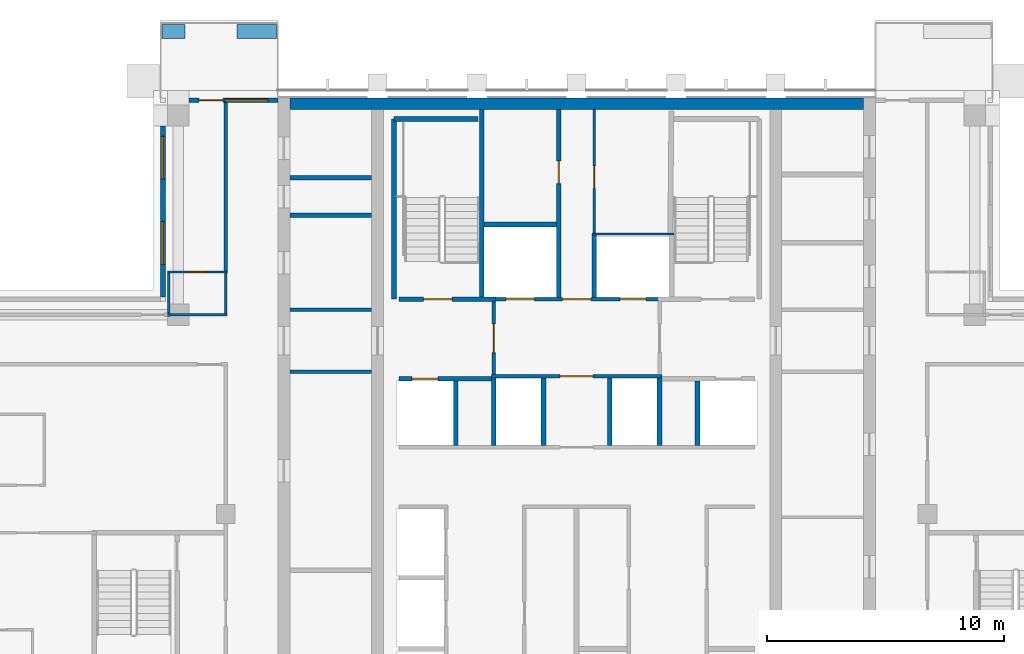
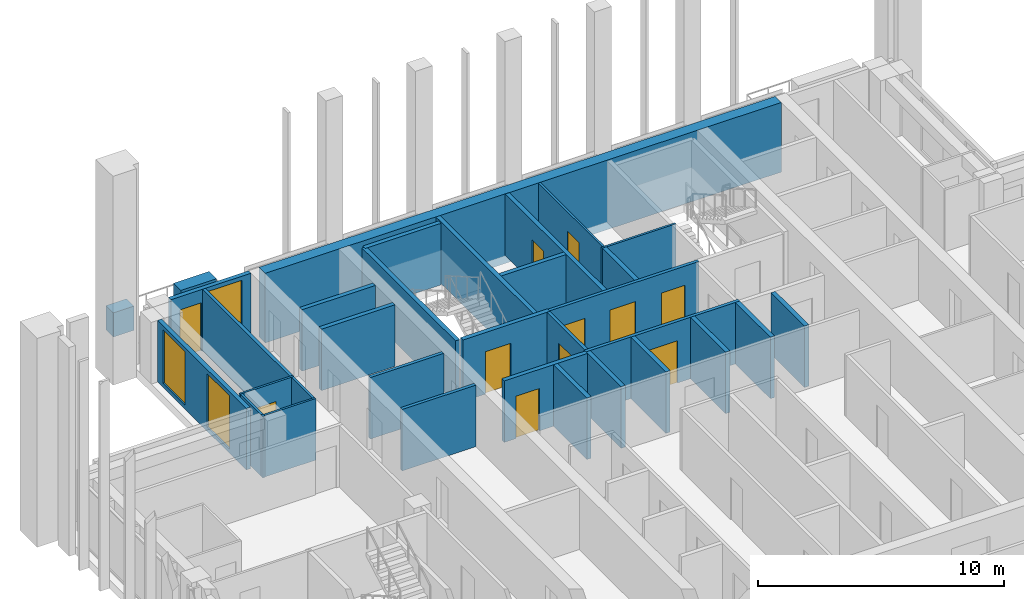
# One storey, part 14 of 20: 34 walls, 11 doors, 3 windows, 14 openings.
"""IFC4 building model written with IfcOpenShell, lengths in metres."""

from ifc_helpers import new_model, si_unit, direction, frame, frame_2d, origin, place, context, subcontext, project, spatial, rectangle, extrude, material, layer, layer_set, type_object, element, fill, save


model = new_model("IFC4")

# Units and contexts
model_context = context("Model", 3, precision=1e-05, world=origin(), true_north=direction((0.0, 1.0)))
body_context = subcontext(model_context, "Body", "Model", "MODEL_VIEW")
ifc_project = project(units=[si_unit("LENGTHUNIT", "METRE"), si_unit("AREAUNIT", "SQUARE_METRE"), si_unit("VOLUMEUNIT", "CUBIC_METRE"), si_unit("PLANEANGLEUNIT", "RADIAN"), si_unit("MASSUNIT", "GRAM", prefix="KILO")], contexts=[model_context])

# Site, building, storey
site_placement = place(None, origin())
site = spatial("IfcSite", under=ifc_project, at=site_placement, CompositionType="ELEMENT")
building_placement = place(site_placement, origin())
building = spatial("IfcBuilding", under=site, at=building_placement, Name="Vermilion Ogive Tower", CompositionType="ELEMENT")
storey_placement = place(building_placement, frame((0.0, 0.0, 223.449951171875)))
storey = spatial("IfcBuildingStorey", under=building, at=storey_placement, Name="L58", CompositionType="ELEMENT", Elevation=223.449951171875)

# Walls
ifc_material_1 = material(Name="Concrete B60", Category="concrete")
ifc_layer_1 = layer(ifc_material_1, 0.5)
ifc_layer_set_1 = layer_set([ifc_layer_1], Name="Core wall 500 B60")
wall_type_1 = type_object("IfcWallType", Name="Core wall 500 B60", PredefinedType="SHEAR", material=ifc_layer_set_1)
wall_1_placement = place(storey_placement, frame((-12.10009765625, 21.5, -0.39990234375), z_axis=(0.0, 0.0, 1.0), x_axis=(1.0, 0.0, 0.0)))
element("IfcWall", 1, at=wall_1_placement, inside=storey, type_object=wall_type_1, Name="L58-CORE-N", PredefinedType="SHEAR", context=body_context, shape_type="SweptSolid", body=[
    extrude(rectangle(XDim=24.2001953125, YDim=0.5, at=frame_2d((12.10009765625, 0.0))), origin(), (0.0, 0.0, 1.0), 3.449951171875),
])
ifc_material_2 = material(Name="Gypsum board partition on steel studs", Category="steel")
ifc_layer_2 = layer(ifc_material_2, 0.10009765625)
ifc_layer_set_2 = layer_set([ifc_layer_2], Name="Partition 100 bath")
wall_type_2 = type_object("IfcWallType", Name="Partition 100 bath", PredefinedType="PARTITIONING", material=ifc_layer_set_2)
wall_2_placement = place(storey_placement, frame((-17.25, 12.60009765625, 0.0), z_axis=(0.0, 0.0, 1.0), x_axis=(1.0, 0.0, 0.0)))
element("IfcWall", 2, at=wall_2_placement, inside=storey, type_object=wall_type_2, Name="L58-W-W034", PredefinedType="PARTITIONING", context=body_context, shape_type="SweptSolid", body=[
    extrude(rectangle(XDim=2.5, YDim=0.10009765625, at=frame_2d((1.25, 0.0))), origin(), (0.0, 0.0, 1.0), 3.050048828125),
])

# Wall, opening, door
wall_3_placement = place(storey_placement, frame((-17.25, 14.39990234375, 0.0), z_axis=(0.0, 0.0, 1.0), x_axis=(1.0, 0.0, 0.0)))
wall_3 = element("IfcWall", 3, at=wall_3_placement, inside=storey, type_object=wall_type_2, Name="L58-W-W037", PredefinedType="PARTITIONING", context=body_context, shape_type="SweptSolid", body=[
    extrude(rectangle(XDim=2.52490234375, YDim=0.10009765625, at=frame_2d((1.262451171875, 0.0))), origin(), (0.0, 0.0, 1.0), 3.050048828125),
])
opening_1_placement = place(wall_3_placement, frame((0.824951171875, 0.0, 0.0)))
opening_1 = element("IfcOpeningElement", 4, at=opening_1_placement, cuts=wall_3, Name="Opening D5G1008", PredefinedType="OPENING", context=body_context, shape_type="SweptSolid", body=[
    extrude(rectangle(XDim=0.85009765625, YDim=2.10009765625, at=frame_2d((0.425048828125, 1.050048828125))), frame((0.0, 0.06005859375, 0.0), z_axis=(0.0, -1.0, 0.0), x_axis=(1.0, 0.0, 0.0)), (0.0, 0.0, 1.0), 0.1201171875),
])
ifc_material_3 = material(Name="Timber door leaf", Category="wood")
door_type_1 = type_object("IfcDoorType", Name="Bath door 850 x 2100 FD30", OperationType="SINGLE_SWING_LEFT", PredefinedType="DOOR", material=ifc_material_3)
door_1_placement = place(opening_1_placement, origin())
door_1 = element("IfcDoor", 5, at=door_1_placement, inside=storey, type_object=door_type_1, Name="L58-D-D008", OperationType="SINGLE_SWING_RIGHT", OverallHeight=2.10009765625, OverallWidth=0.85009765625, PredefinedType="DOOR", context=body_context, shape_type="SweptSolid", body=[
    extrude(rectangle(XDim=0.85009765625, YDim=2.10009765625, at=frame_2d((0.425048828125, 1.050048828125))), frame((0.0, 0.02490234375, 0.0), z_axis=(0.0, -1.0, 0.0), x_axis=(1.0, 0.0, 0.0)), (0.0, 0.0, 1.0), 0.050048828125),
])
fill(opening_1, door_1)

# Walls
wall_4_placement = place(storey_placement, frame((-17.199951171875, 12.675048828125, 0.0), z_axis=(0.0, 0.0, 1.0), x_axis=(0.0, 1.0, 0.0)))
element("IfcWall", 6, at=wall_4_placement, inside=storey, type_object=wall_type_2, Name="L58-W-W043", PredefinedType="PARTITIONING", context=body_context, shape_type="SweptSolid", body=[
    extrude(rectangle(XDim=1.675048828125, YDim=0.10009765625, at=frame_2d((0.83740234375, 0.0))), origin(), (0.0, 0.0, 1.0), 3.050048828125),
])
wall_5_placement = place(storey_placement, frame((-14.800048828125, 12.64990234375, 0.0), z_axis=(0.0, 0.0, 1.0), x_axis=(0.0, 1.0, 0.0)))
element("IfcWall", 7, at=wall_5_placement, inside=storey, type_object=wall_type_2, Name="L58-W-W046", PredefinedType="PARTITIONING", context=body_context, shape_type="SweptSolid", body=[
    extrude(rectangle(XDim=1.7001953125, YDim=0.10009765625, at=frame_2d((0.85009765625, 0.0))), origin(), (0.0, 0.0, 1.0), 3.050048828125),
])
wall_6_placement = place(storey_placement, frame((0.64990234375, 16.0, 0.0), z_axis=(0.0, 0.0, 1.0), x_axis=(1.0, 0.0, 0.0)))
element("IfcWall", 8, at=wall_6_placement, inside=storey, type_object=wall_type_2, Name="L58-CK-W-W017", PredefinedType="PARTITIONING", context=body_context, shape_type="SweptSolid", body=[
    extrude(rectangle(XDim=3.4501953125, YDim=0.10009765625, at=frame_2d((1.72509765625, 0.0))), origin(), (0.0, 0.0, 1.0), 3.050048828125),
])

# Wall, opening, door
wall_7_placement = place(storey_placement, frame((0.75, 16.050048828125, 0.0), z_axis=(0.0, 0.0, 1.0), x_axis=(0.0, 1.0, 0.0)))
wall_7 = element("IfcWall", 9, at=wall_7_placement, inside=storey, type_object=wall_type_2, Name="L58-CK-W-W029", PredefinedType="PARTITIONING", context=body_context, shape_type="SweptSolid", body=[
    extrude(rectangle(XDim=5.198974609375, YDim=0.10009765625, at=frame_2d((2.599609375, 0.0))), origin(), (0.0, 0.0, 1.0), 3.050048828125),
])
opening_2_placement = place(wall_7_placement, frame((1.875, 0.0, 0.0)))
opening_2 = element("IfcOpeningElement", 10, at=opening_2_placement, cuts=wall_7, Name="Opening DAA549", PredefinedType="OPENING", context=body_context, shape_type="SweptSolid", body=[
    extrude(rectangle(XDim=0.949951171875, YDim=2.10009765625, at=frame_2d((0.47509765625, 1.050048828125))), frame((0.0, 0.06005859375, 0.0), z_axis=(0.0, -1.0, 0.0), x_axis=(1.0, 0.0, 0.0)), (0.0, 0.0, 1.0), 0.1201171875),
])
ifc_material_4 = material(Name="Timber door leaf", Category="wood")
door_type_2 = type_object("IfcDoorType", Name="Service door 950 x 2100 FD60", OperationType="SINGLE_SWING_LEFT", PredefinedType="DOOR", material=ifc_material_4)
door_2_placement = place(opening_2_placement, origin())
door_2 = element("IfcDoor", 11, at=door_2_placement, inside=storey, type_object=door_type_2, Name="L58-CK-D-D021", OperationType="SINGLE_SWING_LEFT", OverallHeight=2.10009765625, OverallWidth=0.949951171875, PredefinedType="DOOR", context=body_context, shape_type="SweptSolid", body=[
    extrude(rectangle(XDim=0.949951171875, YDim=2.10009765625, at=frame_2d((0.47509765625, 1.050048828125))), frame((0.0, 0.02490234375, 0.0), z_axis=(0.0, -1.0, 0.0), x_axis=(1.0, 0.0, 0.0)), (0.0, 0.0, 1.0), 0.050048828125),
])
fill(opening_2, door_2)

# Wall
ifc_material_5 = material(Name="Gypsum board partition on steel studs", Category="steel")
ifc_layer_3 = layer(ifc_material_5, 0.14990234375)
ifc_layer_set_3 = layer_set([ifc_layer_3], Name="Partition 150 corridor")
wall_type_3 = type_object("IfcWallType", Name="Partition 150 corridor", PredefinedType="PARTITIONING", material=ifc_layer_set_3)
wall_8_placement = place(storey_placement, frame((-14.800048828125, 14.449951171875, 0.0), z_axis=(0.0, 0.0, 1.0), x_axis=(0.0, 1.0, 0.0)))
element("IfcWall", 12, at=wall_8_placement, inside=storey, type_object=wall_type_3, Name="L58-W-W047", PredefinedType="PARTITIONING", context=body_context, shape_type="SweptSolid", body=[
    extrude(rectangle(XDim=7.10009765625, YDim=0.14990234375, at=frame_2d((3.550048828125, 0.0))), origin(), (0.0, 0.0, 1.0), 3.050048828125),
])

# Wall, opening, door
wall_9_placement = place(storey_placement, frame((-3.60009765625, 10.0, 0.0), z_axis=(0.0, 0.0, 1.0), x_axis=(1.0, 0.0, 0.0)))
wall_9 = element("IfcWall", 13, at=wall_9_placement, inside=storey, type_object=wall_type_3, Name="L58-CK-W-W013", PredefinedType="PARTITIONING", context=body_context, shape_type="SweptSolid", body=[
    extrude(rectangle(XDim=7.2001953125, YDim=0.14990234375, at=frame_2d((3.60009765625, 0.0))), origin(), (0.0, 0.0, 1.0), 3.050048828125),
])
opening_3_placement = place(wall_9_placement, frame((2.900146484375, 0.0, 0.0)))
opening_3 = element("IfcOpeningElement", 14, at=opening_3_placement, cuts=wall_9, Name="Opening DAA541", PredefinedType="OPENING", context=body_context, shape_type="SweptSolid", body=[
    extrude(rectangle(XDim=1.39990234375, YDim=2.10009765625, at=frame_2d((0.699951171875, 1.050048828125))), frame((0.0, 0.0849609375, 0.0), z_axis=(0.0, -1.0, 0.0), x_axis=(1.0, 0.0, 0.0)), (0.0, 0.0, 1.0), 0.169921875),
])
ifc_material_6 = material(Name="Timber door leaf", Category="wood")
door_type_3 = type_object("IfcDoorType", Name="Lobby door 1400 x 2100 FD60S", OperationType="SINGLE_SWING_LEFT", PredefinedType="DOOR", material=ifc_material_6)
door_3_placement = place(opening_3_placement, origin())
door_3 = element("IfcDoor", 15, at=door_3_placement, inside=storey, type_object=door_type_3, Name="L58-CK-D-D016", OperationType="SINGLE_SWING_RIGHT", OverallHeight=2.10009765625, OverallWidth=1.39990234375, PredefinedType="DOOR", context=body_context, shape_type="SweptSolid", body=[
    extrude(rectangle(XDim=1.39990234375, YDim=2.10009765625, at=frame_2d((0.699951171875, 1.050048828125))), frame((0.0, 0.02490234375, 0.0), z_axis=(0.0, -1.0, 0.0), x_axis=(1.0, 0.0, 0.0)), (0.0, 0.0, 1.0), 0.050048828125),
])
fill(opening_3, door_3)

# Wall, openings, doors
wall_10_placement = place(storey_placement, frame((-3.574951171875, 13.25, 0.0), z_axis=(0.0, 0.0, 1.0), x_axis=(1.0, 0.0, 0.0)))
wall_10 = element("IfcWall", 16, at=wall_10_placement, inside=storey, type_object=wall_type_3, Name="L58-CK-W-W015", PredefinedType="PARTITIONING", context=body_context, shape_type="SweptSolid", body=[
    extrude(rectangle(XDim=7.14990234375, YDim=0.14990234375, at=frame_2d((3.574951171875, 0.0))), origin(), (0.0, 0.0, 1.0), 3.050048828125),
])
opening_4_placement = place(wall_10_placement, frame((0.599853515625, 0.0, 0.0)))
opening_4 = element("IfcOpeningElement", 17, at=opening_4_placement, cuts=wall_10, Name="Opening DAA560", PredefinedType="OPENING", context=body_context, shape_type="SweptSolid", body=[
    extrude(rectangle(XDim=1.199951171875, YDim=2.10009765625, at=frame_2d((0.60009765625, 1.050048828125))), frame((0.0, 0.0849609375, 0.0), z_axis=(0.0, -1.0, 0.0), x_axis=(1.0, 0.0, 0.0)), (0.0, 0.0, 1.0), 0.169921875),
])
opening_5_placement = place(wall_10_placement, frame((5.39990234375, 0.0, 0.0)))
opening_5 = element("IfcOpeningElement", 18, at=opening_5_placement, cuts=wall_10, Name="Opening DAA559", PredefinedType="OPENING", context=body_context, shape_type="SweptSolid", body=[
    extrude(rectangle(XDim=1.10009765625, YDim=2.10009765625, at=frame_2d((0.550048828125, 1.050048828125))), frame((0.0, 0.0849609375, 0.0), z_axis=(0.0, -1.0, 0.0), x_axis=(1.0, 0.0, 0.0)), (0.0, 0.0, 1.0), 0.169921875),
])
opening_6_placement = place(wall_10_placement, frame((2.974853515625, 0.0, 0.0)))
opening_6 = element("IfcOpeningElement", 19, at=opening_6_placement, cuts=wall_10, Name="Opening DAA542", PredefinedType="OPENING", context=body_context, shape_type="SweptSolid", body=[
    extrude(rectangle(XDim=1.199951171875, YDim=2.10009765625, at=frame_2d((0.60009765625, 1.050048828125))), frame((0.0, 0.0849609375, 0.0), z_axis=(0.0, -1.0, 0.0), x_axis=(1.0, 0.0, 0.0)), (0.0, 0.0, 1.0), 0.169921875),
])
ifc_material_7 = material(Name="Stainless steel", Category="steel")
door_type_4 = type_object("IfcDoorType", Name="Lift landing door 1100 x 2100", OperationType="SLIDING_TO_LEFT", PredefinedType="DOOR", material=ifc_material_7)
door_4_placement = place(opening_5_placement, origin())
door_4 = element("IfcDoor", 20, at=door_4_placement, inside=storey, type_object=door_type_4, Name="L58-CK-D-D018", OperationType="SLIDING_TO_LEFT", OverallHeight=2.10009765625, OverallWidth=1.10009765625, PredefinedType="DOOR", context=body_context, shape_type="SweptSolid", body=[
    extrude(rectangle(XDim=1.10009765625, YDim=2.10009765625, at=frame_2d((0.550048828125, 1.050048828125))), frame((0.0, 0.02490234375, 0.0), z_axis=(0.0, -1.0, 0.0), x_axis=(1.0, 0.0, 0.0)), (0.0, 0.0, 1.0), 0.050048828125),
])
fill(opening_5, door_4)
ifc_material_8 = material(Name="Stainless steel", Category="steel")
door_type_5 = type_object("IfcDoorType", Name="Lift landing door 1200 x 2100", OperationType="SLIDING_TO_LEFT", PredefinedType="DOOR", material=ifc_material_8)
door_5_placement = place(opening_4_placement, origin())
door_5 = element("IfcDoor", 21, at=door_5_placement, inside=storey, type_object=door_type_5, Name="L58-CK-D-D017", OperationType="SLIDING_TO_RIGHT", OverallHeight=2.10009765625, OverallWidth=1.199951171875, PredefinedType="DOOR", context=body_context, shape_type="SweptSolid", body=[
    extrude(rectangle(XDim=1.199951171875, YDim=2.10009765625, at=frame_2d((0.60009765625, 1.050048828125))), frame((0.0, 0.02490234375, 0.0), z_axis=(0.0, -1.0, 0.0), x_axis=(1.0, 0.0, 0.0)), (0.0, 0.0, 1.0), 0.050048828125),
])
fill(opening_4, door_5)
ifc_material_9 = material(Name="Timber door leaf", Category="wood")
door_type_6 = type_object("IfcDoorType", Name="Service door 1200 x 2100 FD60", OperationType="SINGLE_SWING_LEFT", PredefinedType="DOOR", material=ifc_material_9)
door_6_placement = place(opening_6_placement, origin())
door_6 = element("IfcDoor", 22, at=door_6_placement, inside=storey, type_object=door_type_6, Name="L58-CK-D-D019", OperationType="SINGLE_SWING_RIGHT", OverallHeight=2.10009765625, OverallWidth=1.199951171875, PredefinedType="DOOR", context=body_context, shape_type="SweptSolid", body=[
    extrude(rectangle(XDim=1.199951171875, YDim=2.10009765625, at=frame_2d((0.60009765625, 1.050048828125))), frame((0.0, 0.02490234375, 0.0), z_axis=(0.0, -1.0, 0.0), x_axis=(1.0, 0.0, 0.0)), (0.0, 0.0, 1.0), 0.050048828125),
])
fill(opening_6, door_6)

# Wall, opening, door
wall_11_placement = place(storey_placement, frame((-3.5, 10.074951171875, 0.0), z_axis=(0.0, 0.0, 1.0), x_axis=(0.0, 1.0, 0.0)))
wall_11 = element("IfcWall", 23, at=wall_11_placement, inside=storey, type_object=wall_type_3, Name="L58-CK-W-W023", PredefinedType="PARTITIONING", context=body_context, shape_type="SweptSolid", body=[
    extrude(rectangle(XDim=3.074951171875, YDim=0.14990234375, at=frame_2d((1.53759765625, 0.0))), origin(), (0.0, 0.0, 1.0), 3.050048828125),
])
opening_7_placement = place(wall_11_placement, frame((0.925048828125, 0.0, 0.0)))
opening_7 = element("IfcOpeningElement", 24, at=opening_7_placement, cuts=wall_11, Name="Opening DAA538", PredefinedType="OPENING", context=body_context, shape_type="SweptSolid", body=[
    extrude(rectangle(XDim=1.199951171875, YDim=2.10009765625, at=frame_2d((0.60009765625, 1.050048828125))), frame((0.0, 0.0849609375, 0.0), z_axis=(0.0, -1.0, 0.0), x_axis=(1.0, 0.0, 0.0)), (0.0, 0.0, 1.0), 0.169921875),
])
ifc_material_10 = material(Name="Timber door leaf", Category="wood")
door_type_7 = type_object("IfcDoorType", Name="Lobby door 1200 x 2100 FD60S", OperationType="SINGLE_SWING_LEFT", PredefinedType="DOOR", material=ifc_material_10)
door_7_placement = place(opening_7_placement, origin())
door_7 = element("IfcDoor", 25, at=door_7_placement, inside=storey, type_object=door_type_7, Name="L58-CK-D-D022", OperationType="SINGLE_SWING_RIGHT", OverallHeight=2.10009765625, OverallWidth=1.199951171875, PredefinedType="DOOR", context=body_context, shape_type="SweptSolid", body=[
    extrude(rectangle(XDim=1.199951171875, YDim=2.10009765625, at=frame_2d((0.60009765625, 1.050048828125))), frame((0.0, 0.02490234375, 0.0), z_axis=(0.0, -1.0, 0.0), x_axis=(1.0, 0.0, 0.0)), (0.0, 0.0, 1.0), 0.050048828125),
])
fill(opening_7, door_7)

# Walls
for number, where, z_axis, x_axis, name in (
    (26, (-12.09912109375, 10.199951171875, 0.0), (0.0, 0.0, 1.0), (1.0, 0.0, 0.0), "L58-CKW-W-W002"),
    (27, (-12.09912109375, 12.800048828125, 0.0), (0.0, 0.0, 1.0), (1.0, 0.0, 0.0), "L58-CKW-W-W003"),
):
    element("IfcWall", number, at=place(storey_placement, frame(where, z_axis=z_axis, x_axis=x_axis)), inside=storey, type_object=wall_type_3, Name=name, PredefinedType="PARTITIONING", context=body_context, shape_type="SweptSolid", body=[
        extrude(rectangle(XDim=3.4482421875, YDim=0.14990234375, at=frame_2d((1.72412109375, 0.0))), origin(), (0.0, 0.0, 1.0), 3.050048828125),
    ])
wall_12_placement = place(storey_placement, frame((-17.25, 12.60009765625, 0.0), z_axis=(0.0, 0.0, 1.0), x_axis=(1.0, 0.0, 0.0)))
element("IfcWall", 28, at=wall_12_placement, inside=storey, type_object=wall_type_3, Name="L58-W-W033-h2", PredefinedType="PARTITIONING", context=body_context, shape_type="SweptSolid", body=[
    extrude(rectangle(XDim=0.10009765625, YDim=0.14990234375, at=frame_2d((0.050048828125, 0.0))), origin(), (0.0, 0.0, 1.0), 3.050048828125),
])

# Wall, opening, door
ifc_material_11 = material(Name="Gypsum board partition on steel studs", Category="steel")
ifc_layer_4 = layer(ifc_material_11, 0.199951171875)
ifc_layer_set_4 = layer_set([ifc_layer_4], Name="Partition 200 party")
wall_type_4 = type_object("IfcWallType", Name="Partition 200 party", PredefinedType="PARTITIONING", material=ifc_layer_set_4)
wall_13_placement = place(storey_placement, frame((-7.5, 9.89990234375, 0.0), z_axis=(0.0, 0.0, 1.0), x_axis=(1.0, 0.0, 0.0)))
wall_13 = element("IfcWall", 29, at=wall_13_placement, inside=storey, type_object=wall_type_4, Name="L58-CK-W-W011", PredefinedType="PARTITIONING", context=body_context, shape_type="SweptSolid", body=[
    extrude(rectangle(XDim=3.89990234375, YDim=0.199951171875, at=frame_2d((1.949951171875, 0.0))), origin(), (0.0, 0.0, 1.0), 3.050048828125),
])
opening_8_placement = place(wall_13_placement, frame((0.550048828125, 0.0, 0.0)))
opening_8 = element("IfcOpeningElement", 30, at=opening_8_placement, cuts=wall_13, Name="Opening DAA557", PredefinedType="OPENING", context=body_context, shape_type="SweptSolid", body=[
    extrude(rectangle(XDim=1.10009765625, YDim=2.10009765625, at=frame_2d((0.550048828125, 1.050048828125))), frame((0.0, 0.10986328125, 0.0), z_axis=(0.0, -1.0, 0.0), x_axis=(1.0, 0.0, 0.0)), (0.0, 0.0, 1.0), 0.219970703125),
])
door_8_placement = place(opening_8_placement, origin())
door_8 = element("IfcDoor", 31, at=door_8_placement, inside=storey, type_object=door_type_4, Name="L58-CK-D-D012", OperationType="SLIDING_TO_RIGHT", OverallHeight=2.10009765625, OverallWidth=1.10009765625, PredefinedType="DOOR", context=body_context, shape_type="SweptSolid", body=[
    extrude(rectangle(XDim=1.10009765625, YDim=2.10009765625, at=frame_2d((0.550048828125, 1.050048828125))), frame((0.0, 0.02490234375, 0.0), z_axis=(0.0, -1.0, 0.0), x_axis=(1.0, 0.0, 0.0)), (0.0, 0.0, 1.0), 0.050048828125),
])
fill(opening_8, door_8)

# Walls
wall_14_placement = place(storey_placement, frame((-3.89990234375, 16.39990234375, 0.0), z_axis=(0.0, 0.0, 1.0), x_axis=(1.0, 0.0, 0.0)))
element("IfcWall", 32, at=wall_14_placement, inside=storey, type_object=wall_type_4, Name="L58-CK-W-W018", PredefinedType="PARTITIONING", context=body_context, shape_type="SweptSolid", body=[
    extrude(rectangle(XDim=3.0498046875, YDim=0.199951171875, at=frame_2d((1.52490234375, 0.0))), origin(), (0.0, 0.0, 1.0), 3.050048828125),
])
wall_15_placement = place(storey_placement, frame((-5.10009765625, 7.074951171875, 0.0), z_axis=(0.0, 0.0, 1.0), x_axis=(0.0, 1.0, 0.0)))
element("IfcWall", 33, at=wall_15_placement, inside=storey, type_object=wall_type_4, Name="L58-CK-W-W020", PredefinedType="PARTITIONING", context=body_context, shape_type="SweptSolid", body=[
    extrude(rectangle(XDim=2.72509765625, YDim=0.199951171875, at=frame_2d((1.362548828125, 0.0))), origin(), (0.0, 0.0, 1.0), 3.050048828125),
])
for number, where, z_axis, x_axis, name in (
    (34, (-3.5, 7.074951171875, 0.0), (0.0, 0.0, 1.0), (0.0, 1.0, 0.0), "L58-CK-W-W022"),
    (35, (-1.39990234375, 7.074951171875, 0.0), (0.0, 0.0, 1.0), (0.0, 1.0, 0.0), "L58-CK-W-W025"),
):
    element("IfcWall", number, at=place(storey_placement, frame(where, z_axis=z_axis, x_axis=x_axis)), inside=storey, type_object=wall_type_4, Name=name, PredefinedType="PARTITIONING", context=body_context, shape_type="SweptSolid", body=[
        extrude(rectangle(XDim=2.85009765625, YDim=0.199951171875, at=frame_2d((1.425048828125, 0.0))), origin(), (0.0, 0.0, 1.0), 3.050048828125),
    ])

# Wall, opening, door
wall_16_placement = place(storey_placement, frame((-0.75, 13.324951171875, 0.0), z_axis=(0.0, 0.0, 1.0), x_axis=(0.0, 1.0, 0.0)))
wall_16 = element("IfcWall", 36, at=wall_16_placement, inside=storey, type_object=wall_type_4, Name="L58-CK-W-W026", PredefinedType="PARTITIONING", context=body_context, shape_type="SweptSolid", body=[
    extrude(rectangle(XDim=7.924072265625, YDim=0.199951171875, at=frame_2d((3.9619140625, 0.0))), origin(), (0.0, 0.0, 1.0), 3.050048828125),
])
opening_9_placement = place(wall_16_placement, frame((4.800048828125, 0.0, 0.0)))
opening_9 = element("IfcOpeningElement", 37, at=opening_9_placement, cuts=wall_16, Name="Opening DAA548", PredefinedType="OPENING", context=body_context, shape_type="SweptSolid", body=[
    extrude(rectangle(XDim=0.949951171875, YDim=2.10009765625, at=frame_2d((0.47509765625, 1.050048828125))), frame((0.0, 0.10986328125, 0.0), z_axis=(0.0, -1.0, 0.0), x_axis=(1.0, 0.0, 0.0)), (0.0, 0.0, 1.0), 0.219970703125),
])
door_9_placement = place(opening_9_placement, origin())
door_9 = element("IfcDoor", 38, at=door_9_placement, inside=storey, type_object=door_type_2, Name="L58-CK-D-D020", OperationType="SINGLE_SWING_RIGHT", OverallHeight=2.10009765625, OverallWidth=0.949951171875, PredefinedType="DOOR", context=body_context, shape_type="SweptSolid", body=[
    extrude(rectangle(XDim=0.949951171875, YDim=2.10009765625, at=frame_2d((0.47509765625, 1.050048828125))), frame((0.0, 0.02490234375, 0.0), z_axis=(0.0, -1.0, 0.0), x_axis=(1.0, 0.0, 0.0)), (0.0, 0.0, 1.0), 0.050048828125),
])
fill(opening_9, door_9)

# Walls
wall_17_placement = place(storey_placement, frame((0.75, 13.324951171875, 0.0), z_axis=(0.0, 0.0, 1.0), x_axis=(0.0, 1.0, 0.0)))
element("IfcWall", 39, at=wall_17_placement, inside=storey, type_object=wall_type_4, Name="L58-CK-W-W028", PredefinedType="PARTITIONING", context=body_context, shape_type="SweptSolid", body=[
    extrude(rectangle(XDim=2.625, YDim=0.199951171875, at=frame_2d((1.3125, 0.0))), origin(), (0.0, 0.0, 1.0), 3.050048828125),
])
for number, where, z_axis, x_axis, name in (
    (40, (1.39990234375, 7.074951171875, 0.0), (0.0, 0.0, 1.0), (0.0, 1.0, 0.0), "L58-CK-W-W030"),
    (41, (3.5, 7.074951171875, 0.0), (0.0, 0.0, 1.0), (0.0, 1.0, 0.0), "L58-CK-W-W032"),
):
    element("IfcWall", number, at=place(storey_placement, frame(where, z_axis=z_axis, x_axis=x_axis)), inside=storey, type_object=wall_type_4, Name=name, PredefinedType="PARTITIONING", context=body_context, shape_type="SweptSolid", body=[
        extrude(rectangle(XDim=2.85009765625, YDim=0.199951171875, at=frame_2d((1.425048828125, 0.0))), origin(), (0.0, 0.0, 1.0), 3.050048828125),
    ])
wall_18_placement = place(storey_placement, frame((5.10009765625, 7.074951171875, 0.0), z_axis=(0.0, 0.0, 1.0), x_axis=(0.0, 1.0, 0.0)))
element("IfcWall", 42, at=wall_18_placement, inside=storey, type_object=wall_type_4, Name="L58-CK-W-W036", PredefinedType="PARTITIONING", context=body_context, shape_type="SweptSolid", body=[
    extrude(rectangle(XDim=2.72509765625, YDim=0.199951171875, at=frame_2d((1.362548828125, 0.0))), origin(), (0.0, 0.0, 1.0), 3.050048828125),
])
for number, where, z_axis, x_axis, name in (
    (43, (-12.09912109375, 16.7880859375, 0.0), (0.0, 0.0, 1.0), (1.0, 0.0, 0.0), "L58-CKW-W-W004"),
    (44, (-12.09912109375, 18.373046875, 0.0), (0.0, 0.0, 1.0), (1.0, 0.0, 0.0), "L58-CKW-W-W005"),
):
    element("IfcWall", number, at=place(storey_placement, frame(where, z_axis=z_axis, x_axis=x_axis)), inside=storey, type_object=wall_type_4, Name=name, PredefinedType="PARTITIONING", context=body_context, shape_type="SweptSolid", body=[
        extrude(rectangle(XDim=3.4482421875, YDim=0.199951171875, at=frame_2d((1.72412109375, 0.0))), origin(), (0.0, 0.0, 1.0), 3.050048828125),
    ])

# Wall, opening, door
ifc_material_12 = material(Name="Concrete B60", Category="concrete")
ifc_layer_5 = layer(ifc_material_12, 0.199951171875)
ifc_layer_set_5 = layer_set([ifc_layer_5], Name="Stair shaft wall 200 Concrete B60")
wall_type_5 = type_object("IfcWallType", Name="Stair shaft wall 200 Concrete B60", PredefinedType="SOLIDWALL", material=ifc_layer_set_5)
wall_19_placement = place(storey_placement, frame((-7.5, 13.25, 0.0), z_axis=(0.0, 0.0, 1.0), x_axis=(1.0, 0.0, 0.0)))
wall_19 = element("IfcWall", 45, at=wall_19_placement, inside=storey, type_object=wall_type_5, Name="L58-CK-W-W014", PredefinedType="SOLIDWALL", context=body_context, shape_type="SweptSolid", body=[
    extrude(rectangle(XDim=4.074951171875, YDim=0.199951171875, at=frame_2d((2.03759765625, 0.0))), origin(), (0.0, 0.0, 1.0), 3.050048828125),
])
opening_10_placement = place(wall_19_placement, frame((1.050048828125, 0.0, 0.0)))
opening_10 = element("IfcOpeningElement", 46, at=opening_10_placement, cuts=wall_19, Name="Opening DAA550", PredefinedType="OPENING", context=body_context, shape_type="SweptSolid", body=[
    extrude(rectangle(XDim=1.199951171875, YDim=2.10009765625, at=frame_2d((0.60009765625, 1.050048828125))), frame((0.0, 0.10986328125, 0.0), z_axis=(0.0, -1.0, 0.0), x_axis=(1.0, 0.0, 0.0)), (0.0, 0.0, 1.0), 0.219970703125),
])
ifc_material_13 = material(Name="Timber door leaf", Category="wood")
door_type_8 = type_object("IfcDoorType", Name="Stair door 1200 x 2100 FD60S", OperationType="SINGLE_SWING_LEFT", PredefinedType="DOOR", material=ifc_material_13)
door_10_placement = place(opening_10_placement, origin())
door_10 = element("IfcDoor", 47, at=door_10_placement, inside=storey, type_object=door_type_8, Name="L58-CK-D-D011", OperationType="SINGLE_SWING_LEFT", OverallHeight=2.10009765625, OverallWidth=1.199951171875, PredefinedType="DOOR", context=body_context, shape_type="SweptSolid", body=[
    extrude(rectangle(XDim=1.199951171875, YDim=2.10009765625, at=frame_2d((0.60009765625, 1.050048828125))), frame((0.0, 0.02490234375, 0.0), z_axis=(0.0, -1.0, 0.0), x_axis=(1.0, 0.0, 0.0)), (0.0, 0.0, 1.0), 0.050048828125),
])
fill(opening_10, door_10)

# Walls
wall_20_placement = place(storey_placement, frame((-4.0, 13.35009765625, 0.0), z_axis=(0.0, 0.0, 1.0), x_axis=(0.0, 1.0, 0.0)))
element("IfcWall", 48, at=wall_20_placement, inside=storey, type_object=wall_type_5, Name="L58-CK-W-W021", PredefinedType="SOLIDWALL", context=body_context, shape_type="SweptSolid", body=[
    extrude(rectangle(XDim=7.89892578125, YDim=0.199951171875, at=frame_2d((3.949462890625, 0.0))), origin(), (0.0, 0.0, 1.0), 3.050048828125),
])
wall_21_placement = place(storey_placement, frame((-7.699951171875, 13.25, 0.0), z_axis=(0.0, 0.0, 1.0), x_axis=(0.0, 1.0, 0.0)))
element("IfcWall", 49, at=wall_21_placement, inside=storey, type_object=wall_type_5, Name="L58-SW-R015-W1", PredefinedType="SOLIDWALL", context=body_context, shape_type="SweptSolid", body=[
    extrude(rectangle(XDim=7.60009765625, YDim=0.199951171875, at=frame_2d((3.800048828125, 0.0))), origin(), (0.0, 0.0, 1.0), 3.050048828125),
])
wall_22_placement = place(storey_placement, frame((-7.699951171875, 20.85009765625, 0.0), z_axis=(0.0, 0.0, 1.0), x_axis=(1.0, 0.0, 0.0)))
element("IfcWall", 50, at=wall_22_placement, inside=storey, type_object=wall_type_5, Name="L58-SW-R015-N1", PredefinedType="SOLIDWALL", context=body_context, shape_type="SweptSolid", body=[
    extrude(rectangle(XDim=3.550048828125, YDim=0.199951171875, at=frame_2d((1.77490234375, 0.0))), origin(), (0.0, 0.0, 1.0), 3.050048828125),
])
ifc_material_14 = material(Name="Concrete B40", Category="concrete")
ifc_layer_6 = layer(ifc_material_14, 0.60009765625)
ifc_layer_set_6 = layer_set([ifc_layer_6], Name="Structural planter")
wall_type_6 = type_object("IfcWallType", Name="Structural planter", PredefinedType="USERDEFINED", material=ifc_layer_set_6)
wall_23_placement = place(storey_placement, frame((-12.659912109375, 24.550048828125, -0.0400390625), z_axis=(0.0, 0.0, 1.0), x_axis=(-1.0, 0.0, 0.0)))
element("IfcWall", 51, at=wall_23_placement, inside=storey, type_object=wall_type_6, Name="Planter N201A1", ObjectType="PLANTER", PredefinedType="USERDEFINED", context=body_context, shape_type="SweptSolid", body=[
    extrude(rectangle(XDim=1.6650390625, YDim=0.60009765625, at=frame_2d((0.83251953125, 0.0))), origin(), (0.0, 0.0, 1.0), 1.2001953125),
])
wall_24_placement = place(storey_placement, frame((-16.52490234375, 24.550048828125, -0.0400390625), z_axis=(0.0, 0.0, 1.0), x_axis=(-1.0, 0.0, 0.0)))
element("IfcWall", 52, at=wall_24_placement, inside=storey, type_object=wall_type_6, Name="Planter N201A2", ObjectType="PLANTER", PredefinedType="USERDEFINED", context=body_context, shape_type="SweptSolid", body=[
    extrude(rectangle(XDim=0.965087890625, YDim=0.60009765625, at=frame_2d((0.482421875, 0.0))), origin(), (0.0, 0.0, 1.0), 1.2001953125),
])

# Wall, openings, door, window
ifc_material_15 = material(Name="Aluminium window wall framing", Category="aluminium")
ifc_layer_7 = layer(ifc_material_15, 0.199951171875)
ifc_layer_set_7 = layer_set([ifc_layer_7], Name="Window wall")
wall_type_7 = type_object("IfcWallType", Name="Window wall", PredefinedType="STANDARD", material=ifc_layer_set_7)
wall_25_placement = place(storey_placement, frame((-12.60009765625, 21.64990234375, 0.0), z_axis=(0.0, 0.0, 1.0), x_axis=(-1.0, 0.0, 0.0)))
wall_25 = element("IfcWall", 53, at=wall_25_placement, inside=storey, type_object=wall_type_7, Name="Window wall N21", PredefinedType="STANDARD", context=body_context, shape_type="SweptSolid", body=[
    extrude(rectangle(XDim=3.75, YDim=0.199951171875, at=frame_2d((1.875, 0.0))), origin(), (0.0, 0.0, 1.0), 3.050048828125),
])
opening_11_placement = place(wall_25_placement, frame((0.425048828125, 0.0, 0.199951171875)))
opening_11 = element("IfcOpeningElement", 54, at=opening_11_placement, cuts=wall_25, Name="Opening W1-N296", PredefinedType="OPENING", context=body_context, shape_type="SweptSolid", body=[
    extrude(rectangle(XDim=1.800048828125, YDim=2.64990234375, at=frame_2d((0.89990234375, 1.324951171875))), frame((0.0, 0.10986328125, 0.0), z_axis=(0.0, -1.0, 0.0), x_axis=(1.0, 0.0, 0.0)), (0.0, 0.0, 1.0), 0.219970703125),
])
opening_12_placement = place(wall_25_placement, frame((2.324951171875, 0.0, 0.0)))
opening_12 = element("IfcOpeningElement", 55, at=opening_12_placement, cuts=wall_25, Name="Opening D1-N296", PredefinedType="OPENING", context=body_context, shape_type="SweptSolid", body=[
    extrude(rectangle(XDim=1.0, YDim=2.39990234375, at=frame_2d((0.5, 1.199951171875))), frame((0.0, 0.10986328125, 0.0), z_axis=(0.0, -1.0, 0.0), x_axis=(1.0, 0.0, 0.0)), (0.0, 0.0, 1.0), 0.219970703125),
])
ifc_material_16 = material(Name="Aluminium framed glazed door", Category="aluminium")
door_type_9 = type_object("IfcDoorType", Name="Balcony door D1", OperationType="SINGLE_SWING_LEFT", PredefinedType="DOOR", material=ifc_material_16)
door_11_placement = place(opening_12_placement, origin())
door_11 = element("IfcDoor", 56, at=door_11_placement, inside=storey, type_object=door_type_9, Name="Balcony door N296", OperationType="SINGLE_SWING_LEFT", OverallHeight=2.39990234375, OverallWidth=1.0, PredefinedType="DOOR", context=body_context, shape_type="SweptSolid", body=[
    extrude(rectangle(XDim=1.0, YDim=2.39990234375, at=frame_2d((0.5, 1.199951171875))), frame((0.0, 0.02490234375, 0.0), z_axis=(0.0, -1.0, 0.0), x_axis=(1.0, 0.0, 0.0)), (0.0, 0.0, 1.0), 0.050048828125),
])
fill(opening_12, door_11)
ifc_material_17 = material(Name="Aluminium framed double glazing", Category="aluminium")
window_type = type_object("IfcWindowType", Name="Guest window W1", PartitioningType="SINGLE_PANEL", PredefinedType="WINDOW", material=ifc_material_17)
window_1_placement = place(opening_11_placement, origin())
window_1 = element("IfcWindow", 57, at=window_1_placement, inside=storey, type_object=window_type, Name="Window N296", OverallHeight=2.64990234375, OverallWidth=1.800048828125, PartitioningType="SINGLE_PANEL", PredefinedType="WINDOW", context=body_context, shape_type="SweptSolid", body=[
    extrude(rectangle(XDim=1.800048828125, YDim=2.64990234375, at=frame_2d((0.89990234375, 1.324951171875))), frame((0.0, 0.030029296875, 0.0), z_axis=(0.0, -1.0, 0.0), x_axis=(1.0, 0.0, 0.0)), (0.0, 0.0, 1.0), 0.06005859375),
])
fill(opening_11, window_1)

# Wall, openings, windows
wall_26_placement = place(storey_placement, frame((-17.449951171875, 20.550048828125, 0.0), z_axis=(0.0, 0.0, 1.0), x_axis=(0.0, -1.0, 0.0)))
wall_26 = element("IfcWall", 58, at=wall_26_placement, inside=storey, type_object=wall_type_7, Name="Window wall X51", PredefinedType="STANDARD", context=body_context, shape_type="SweptSolid", body=[
    extrude(rectangle(XDim=7.199951171875, YDim=0.199951171875, at=frame_2d((3.60009765625, 0.0))), origin(), (0.0, 0.0, 1.0), 3.050048828125),
])
opening_13_placement = place(wall_26_placement, frame((4.02490234375, 0.0, 0.199951171875)))
opening_13 = element("IfcOpeningElement", 59, at=opening_13_placement, cuts=wall_26, Name="Opening W1-X503", PredefinedType="OPENING", context=body_context, shape_type="SweptSolid", body=[
    extrude(rectangle(XDim=1.800048828125, YDim=2.64990234375, at=frame_2d((0.89990234375, 1.324951171875))), frame((0.0, 0.10986328125, 0.0), z_axis=(0.0, -1.0, 0.0), x_axis=(1.0, 0.0, 0.0)), (0.0, 0.0, 1.0), 0.219970703125),
])
opening_14_placement = place(wall_26_placement, frame((0.425048828125, 0.0, 0.199951171875)))
opening_14 = element("IfcOpeningElement", 60, at=opening_14_placement, cuts=wall_26, Name="Opening W1-X504", PredefinedType="OPENING", context=body_context, shape_type="SweptSolid", body=[
    extrude(rectangle(XDim=1.800048828125, YDim=2.64990234375, at=frame_2d((0.89990234375, 1.324951171875))), frame((0.0, 0.10986328125, 0.0), z_axis=(0.0, -1.0, 0.0), x_axis=(1.0, 0.0, 0.0)), (0.0, 0.0, 1.0), 0.219970703125),
])
window_2_placement = place(opening_13_placement, origin())
window_2 = element("IfcWindow", 61, at=window_2_placement, inside=storey, type_object=window_type, Name="Window X503", OverallHeight=2.64990234375, OverallWidth=1.800048828125, PartitioningType="SINGLE_PANEL", PredefinedType="WINDOW", context=body_context, shape_type="SweptSolid", body=[
    extrude(rectangle(XDim=1.800048828125, YDim=2.64990234375, at=frame_2d((0.89990234375, 1.324951171875))), frame((0.0, 0.030029296875, 0.0), z_axis=(0.0, -1.0, 0.0), x_axis=(1.0, 0.0, 0.0)), (0.0, 0.0, 1.0), 0.06005859375),
])
fill(opening_13, window_2)
window_3_placement = place(opening_14_placement, origin())
window_3 = element("IfcWindow", 62, at=window_3_placement, inside=storey, type_object=window_type, Name="Window X504", OverallHeight=2.64990234375, OverallWidth=1.800048828125, PartitioningType="SINGLE_PANEL", PredefinedType="WINDOW", context=body_context, shape_type="SweptSolid", body=[
    extrude(rectangle(XDim=1.800048828125, YDim=2.64990234375, at=frame_2d((0.89990234375, 1.324951171875))), frame((0.0, 0.030029296875, 0.0), z_axis=(0.0, -1.0, 0.0), x_axis=(1.0, 0.0, 0.0)), (0.0, 0.0, 1.0), 0.06005859375),
])
fill(opening_14, window_3)

save(model, "model.ifc")
